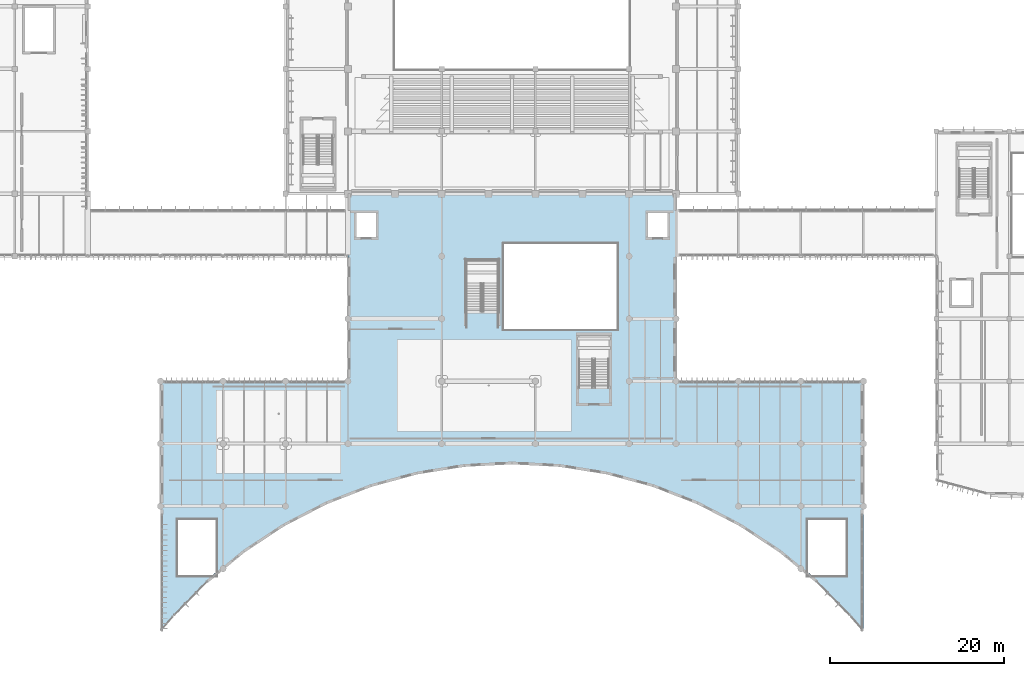
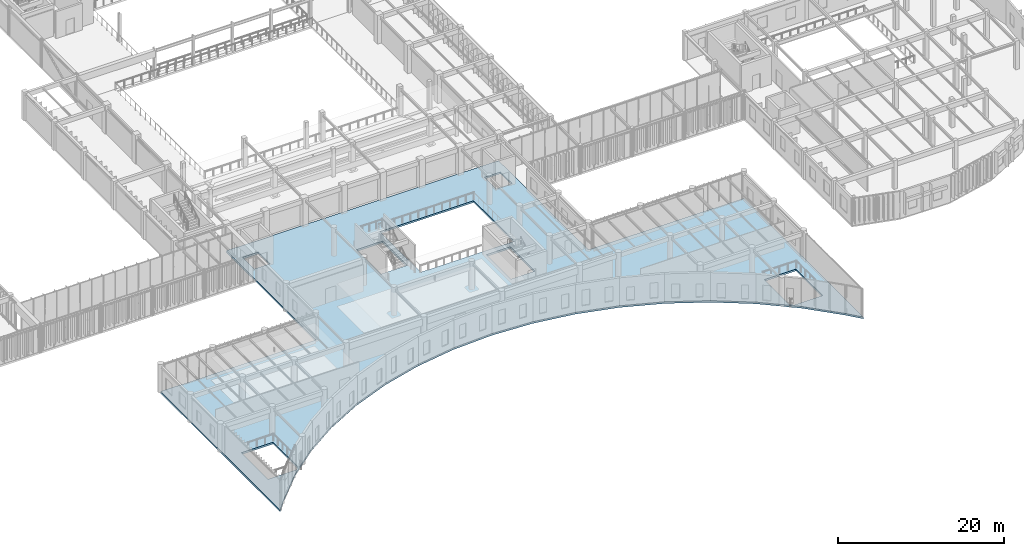
# One storey, part 20 of 122: 1 slab.
"""IFC4 building model written with IfcOpenShell, lengths in metres."""

from ifc_helpers import new_model, si_unit, direction, frame, origin, place, context, subcontext, project, spatial, polyline, outline, extrude, material, layer, layer_set, type_object, element, save


model = new_model("IFC4")

# Units and contexts
model_context = context("Model", 3, precision=1e-05, world=origin(), true_north=direction((0.0, 1.0)))
body_context = subcontext(model_context, "Body", "Model", "MODEL_VIEW")
ifc_project = project(units=[si_unit("LENGTHUNIT", "METRE"), si_unit("AREAUNIT", "SQUARE_METRE"), si_unit("VOLUMEUNIT", "CUBIC_METRE"), si_unit("PLANEANGLEUNIT", "RADIAN"), si_unit("MASSUNIT", "GRAM", prefix="KILO")], contexts=[model_context])

# Site, building, storey
site_placement = place(None, origin())
site = spatial("IfcSite", under=ifc_project, at=site_placement, CompositionType="ELEMENT")
building_placement = place(site_placement, origin())
building = spatial("IfcBuilding", under=site, at=building_placement, Name="Tazoul Stagehouse", CompositionType="ELEMENT")
storey_placement = place(building_placement, frame((0.0, 0.0, 4.800048828125)))
storey = spatial("IfcBuildingStorey", under=building, at=storey_placement, Name="L01", CompositionType="ELEMENT", Elevation=4.800048828125)

# Slab
ifc_material = material(Name="Concrete C35/45", Category="concrete")
ifc_layer = layer(ifc_material, 0.260009765625, Name="Concrete C35/45")
ifc_layer_set = layer_set([ifc_layer], Name="Concrete C35/45")
slab_type = type_object("IfcSlabType", Name="Suspended Floor Slab 260", PredefinedType="FLOOR", material=ifc_layer_set)
slab_placement = place(storey_placement, frame((0.0, 0.0, -0.260009765625)))
element("IfcSlab", 1, at=slab_placement, inside=storey, type_object=slab_type, Name="L01 Suspended Floor Slab 260 (V5)", PredefinedType="FLOOR", context=body_context, shape_type="SweptSolid", body=[
    extrude(outline(polyline([(36.0, 1.449951171875), (36.0, 30.199951171875), (57.60009765625, 30.199951171875), (57.60009765625, 51.800048828125), (95.39990234375, 51.800048828125), (95.39990234375, 30.199951171875), (117.0, 30.199951171875), (117.0, 1.449951171875), (115.5, 3.1796875), (111.641845703125, 7.11328125), (107.388916015625, 10.616455078125), (102.78955078125, 13.64990234375), (97.894775390625, 16.1796875), (92.760009765625, 18.177490234375), (87.4423828125, 19.62060546875), (82.002197265625, 20.4931640625), (76.5, 20.784912109375), (70.997802734375, 20.4931640625), (65.5576171875, 19.62060546875), (60.239990234375, 18.177490234375), (55.105224609375, 16.1796875), (50.21044921875, 13.64990234375), (45.611083984375, 10.616455078125), (41.358154296875, 7.11328125), (37.5, 3.1796875), (36.0, 1.449951171875)]), holes=[polyline([(110.60009765625, 8.20458984375), (110.60009765625, 14.199951171875), (115.0, 14.199951171875), (115.0, 7.800048828125), (111.09130859375, 7.800048828125), (110.60009765625, 8.20458984375)]), polyline([(41.90869140625, 7.800048828125), (38.0, 7.800048828125), (38.0, 14.199951171875), (42.39990234375, 14.199951171875), (42.39990234375, 8.20458984375), (41.90869140625, 7.800048828125)]), polyline([(88.60009765625, 46.0), (88.60009765625, 36.199951171875), (75.60009765625, 36.199951171875), (75.60009765625, 46.0), (88.60009765625, 46.0)]), polyline([(71.260009765625, 44.139892578125), (74.889892578125, 44.139892578125), (74.889892578125, 38.260009765625), (71.260009765625, 38.260009765625), (71.260009765625, 44.139892578125)]), polyline([(58.60009765625, 46.800048828125), (58.60009765625, 49.60009765625), (60.800048828125, 49.60009765625), (60.800048828125, 46.800048828125), (58.60009765625, 46.800048828125)]), polyline([(84.260009765625, 35.419921875), (87.590087890625, 35.419921875), (87.590087890625, 29.5400390625), (84.260009765625, 29.5400390625), (84.260009765625, 35.419921875)]), polyline([(92.199951171875, 46.800048828125), (92.199951171875, 49.60009765625), (94.39990234375, 49.60009765625), (94.39990234375, 46.800048828125), (92.199951171875, 46.800048828125)])]), origin(), (0.0, 0.0, 1.0), 0.260009765625),
])

save(model, "model.ifc")
